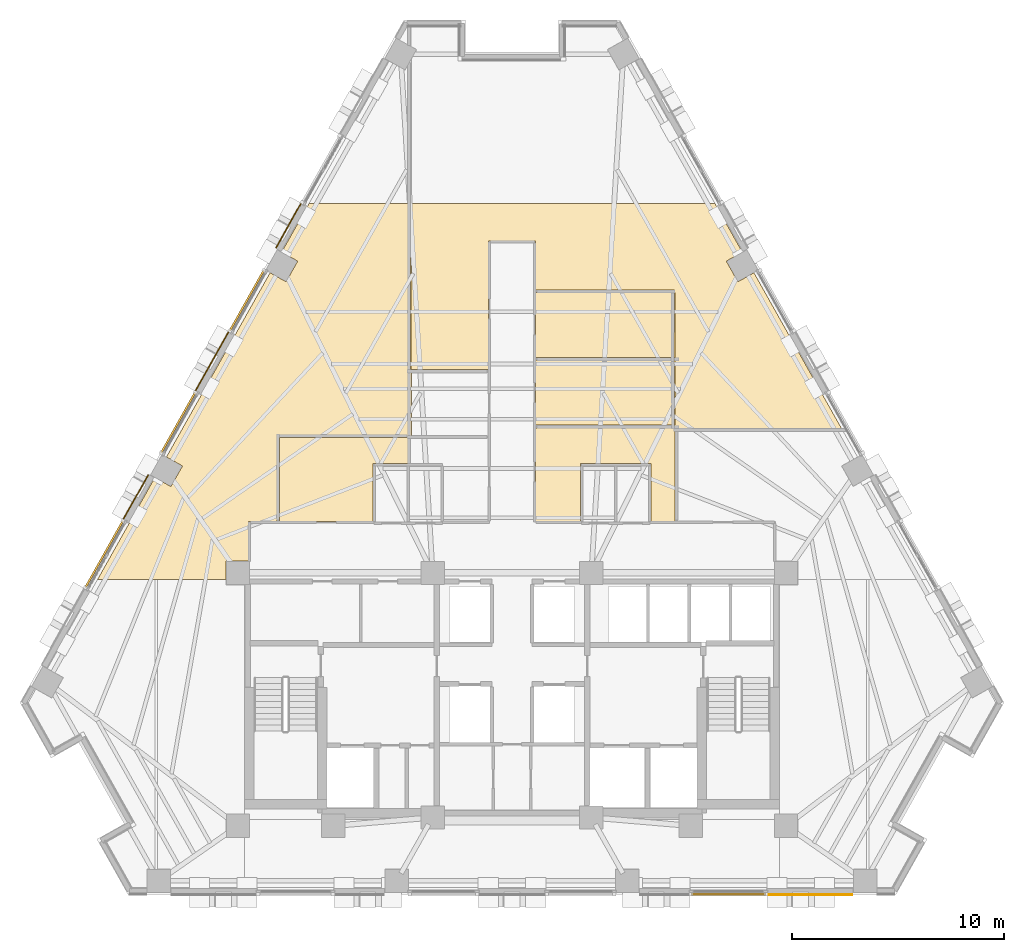
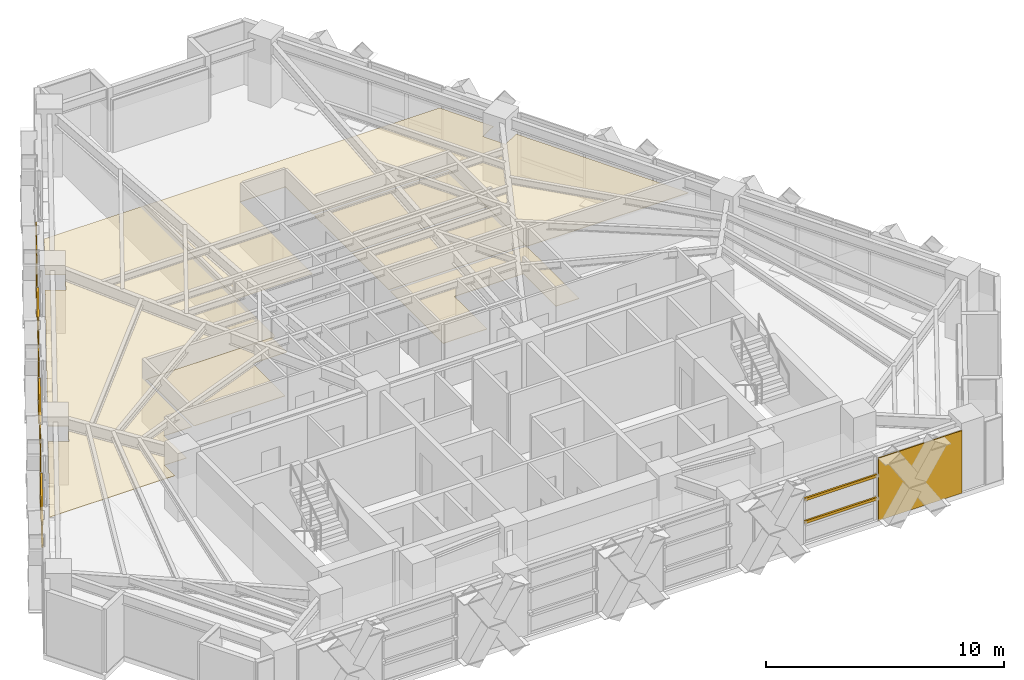
# One storey, part 12 of 14: 10 coverings, 8 shading devices.
"""IFC4 building model written with IfcOpenShell, lengths in metres."""

from ifc_helpers import new_model, si_unit, direction, frame, origin, origin_2d, place, context, subcontext, project, spatial, polyline, rectangle, outline, extrude, material, layer, layer_set, material_profile, profile_set, type_object, element, save


model = new_model("IFC4")

# Units and contexts
model_context = context("Model", 3, precision=1e-05, world=origin(), true_north=direction((0.0, 1.0)))
body_context = subcontext(model_context, "Body", "Model", "MODEL_VIEW")
ifc_project = project(units=[si_unit("LENGTHUNIT", "METRE"), si_unit("AREAUNIT", "SQUARE_METRE"), si_unit("VOLUMEUNIT", "CUBIC_METRE"), si_unit("PLANEANGLEUNIT", "RADIAN"), si_unit("MASSUNIT", "GRAM", prefix="KILO")], contexts=[model_context])

# Site, building, storey
site_placement = place(None, origin())
site = spatial("IfcSite", under=ifc_project, at=site_placement, CompositionType="ELEMENT")
building_placement = place(site_placement, origin())
building = spatial("IfcBuilding", under=site, at=building_placement, Name="Quenlor Broadcast Tower", CompositionType="ELEMENT")
storey_placement = place(building_placement, frame((0.0, 0.0, 112.5)))
storey = spatial("IfcBuildingStorey", under=building, at=storey_placement, Name="L30", CompositionType="ELEMENT", Elevation=112.5)

# Coverings
ifc_material_1 = material(Name="Acoustic Mineral Fibre Board", Category="other")
ifc_layer_1 = layer(ifc_material_1, 0.02490234375)
ifc_layer_set_1 = layer_set([ifc_layer_1], Name="Acoustic Perforated Mineral Tile Ceiling 25")
covering_type_1 = type_object("IfcCoveringType", Name="Acoustic Perforated Mineral Tile Ceiling 25", PredefinedType="CEILING", material=ifc_layer_set_1)
covering_1_placement = place(storey_placement, frame((0.0, 0.0, 2.22509765625)))
element("IfcCovering", 1, at=covering_1_placement, inside=storey, type_object=covering_type_1, Name="L30 Acoustic Ceiling L30-31", PredefinedType="CEILING", context=body_context, shape_type="SweptSolid", body=[
    extrude(outline(polyline([(15.483642578125, 2.030029296875), (7.820068359375, 2.030029296875), (7.790771484375, 2.032958984375), (7.7626953125, 2.04150390625), (7.73681640625, 2.055419921875), (7.7138671875, 2.073974609375), (7.6953125, 2.0966796875), (7.681396484375, 2.12255859375), (7.6728515625, 2.150634765625), (7.669921875, 2.179931640625), (7.669921875, 8.4599609375), (7.6728515625, 8.4892578125), (7.681396484375, 8.517333984375), (7.676513671875, 8.53662109375), (7.670654296875, 8.565185546875), (1.10009765625, 8.580078125), (1.10009765625, 10.8798828125), (-1.10009765625, 10.8798828125), (-1.10009765625, 4.81005859375), (-4.780029296875, 4.81005859375), (-4.780029296875, 12.64990234375), (9.59423828125, 12.64990234375), (10.883544921875, 10.35791015625), (10.126953125, 9.9326171875), (10.674072265625, 8.959716796875), (11.4306640625, 9.38525390625), (15.55712890625, 2.04931640625), (15.54150390625, 2.041748046875), (15.51318359375, 2.032958984375), (15.483642578125, 2.030029296875)])), origin(), (0.0, 0.0, 1.0), 0.02490234375),
])
covering_2_placement = place(storey_placement, frame((0.0, 0.0, 2.22509765625)))
element("IfcCovering", 2, at=covering_2_placement, inside=storey, type_object=covering_type_1, Name="L30 Acoustic Ceiling L30-32", PredefinedType="CEILING", context=body_context, shape_type="SweptSolid", body=[
    extrude(outline(polyline([(1.10009765625, 8.4599609375), (7.699951171875, 8.4599609375), (7.699951171875, 5.3798828125), (1.10009765625, 5.3798828125), (1.10009765625, 8.4599609375)])), origin(), (0.0, 0.0, 1.0), 0.02490234375),
])
covering_3_placement = place(storey_placement, frame((0.0, 0.0, 2.22509765625)))
element("IfcCovering", 3, at=covering_3_placement, inside=storey, type_object=covering_type_1, Name="L30 Acoustic Ceiling L30-33", PredefinedType="CEILING", context=body_context, shape_type="SweptSolid", body=[
    extrude(outline(polyline([(7.699951171875, 5.260009765625), (7.699951171875, 2.179931640625), (1.10009765625, 2.179931640625), (1.10009765625, 5.260009765625), (7.699951171875, 5.260009765625)])), origin(), (0.0, 0.0, 1.0), 0.02490234375),
])
covering_4_placement = place(storey_placement, frame((0.0, 0.0, 2.22509765625)))
element("IfcCovering", 4, at=covering_4_placement, inside=storey, type_object=covering_type_1, Name="L30 Acoustic Ceiling L30-35", PredefinedType="CEILING", context=body_context, shape_type="SweptSolid", body=[
    extrude(outline(polyline([(3.22998046875, -2.3701171875), (1.10009765625, -2.3701171875), (1.10009765625, 2.06005859375), (7.699951171875, 2.06005859375), (7.699951171875, -2.3701171875), (6.570068359375, -2.3701171875), (6.570068359375, 0.3701171875), (3.22998046875, 0.3701171875), (3.22998046875, -2.3701171875)])), origin(), (0.0, 0.0, 1.0), 0.02490234375),
])
covering_5_placement = place(storey_placement, frame((0.0, 0.0, 2.22509765625)))
element("IfcCovering", 5, at=covering_5_placement, inside=storey, type_object=covering_type_1, Name="L30 Acoustic Ceiling L30-37", PredefinedType="CEILING", context=body_context, shape_type="SweptSolid", body=[
    extrude(outline(polyline([(-10.97998046875, 1.590087890625), (-4.89990234375, 1.590087890625), (-4.89990234375, 0.3701171875), (-6.570068359375, 0.3701171875), (-6.570068359375, -2.3701171875), (-10.97998046875, -2.3701171875), (-10.97998046875, 1.590087890625)])), origin(), (0.0, 0.0, 1.0), 0.02490234375),
])
covering_6_placement = place(storey_placement, frame((0.0, 0.0, 2.22509765625)))
element("IfcCovering", 6, at=covering_6_placement, inside=storey, type_object=covering_type_1, Name="L30 Acoustic Ceiling L30-38", PredefinedType="CEILING", context=body_context, shape_type="SweptSolid", body=[
    extrude(outline(polyline([(-10.126953125, 9.9326171875), (-10.883544921875, 10.35791015625), (-9.59423828125, 12.64990234375), (-4.75, 12.64990234375), (-4.75, 4.81005859375), (-4.7529296875, 4.78076171875), (-4.761474609375, 4.752685546875), (-4.756591796875, 4.7333984375), (-4.750732421875, 4.70458984375), (-4.75, 1.7099609375), (-4.7529296875, 1.6806640625), (-4.761474609375, 1.652587890625), (-4.775390625, 1.626708984375), (-4.7939453125, 1.60400390625), (-4.816650390625, 1.585205078125), (-4.842529296875, 1.5712890625), (-4.87060546875, 1.56298828125), (-4.89990234375, 1.56005859375), (-10.97998046875, 1.56005859375), (-11.00927734375, 1.56298828125), (-11.037353515625, 1.5712890625), (-11.056396484375, 1.56640625), (-11.085205078125, 1.560791015625), (-11.10009765625, -2.3701171875), (-12.43994140625, -2.3701171875), (-12.43994140625, -4.241943359375), (-13.508056640625, -4.241943359375), (-13.508056640625, -5.1201171875), (-16.739990234375, -5.1201171875), (-16.860107421875, -5.1201171875), (-19.58984375, -5.1201171875), (-16.873779296875, -0.29150390625), (-16.1171875, -0.717041015625), (-15.5703125, 0.255615234375), (-16.32666015625, 0.68115234375), (-15.821533203125, 1.579345703125), (-15.10498046875, 2.852783203125), (-14.68798828125, 3.59423828125), (-14.24267578125, 4.38623046875), (-14.077880859375, 4.679443359375), (-11.4306640625, 9.38525390625), (-10.674072265625, 8.959716796875), (-10.126953125, 9.9326171875)])), origin(), (0.0, 0.0, 1.0), 0.02490234375),
])

# Shading devices
ifc_material_2 = material(Name="Architectural Terracotta Ceramic", Category="masonry")
ifc_material_profile = material_profile(ifc_material_2, rectangle(XDim=0.090087890625, YDim=0.139892578125, at=origin_2d()))
ifc_profile_set = profile_set([ifc_material_profile], Name="Architectural Terracotta Ceramic BAG90x140")
shading_device_type = type_object("IfcShadingDeviceType", Name="Copper Terracotta Baguette Solar Screen 140", PredefinedType="USERDEFINED", material=ifc_profile_set)
for number, where, z_axis, x_axis, name in (
    (7, (11.981689453125, -19.972900390625, 1.169921875), (-1.0, 0.0, 0.0), (0.0, -1.0, 0.0), "L30 Terracotta Baguette Screen 1"),
    (8, (11.981689453125, -19.972900390625, 2.340087890625), (-1.0, 0.0, 0.0), (0.0, -1.0, 0.0), "L30 Terracotta Baguette Screen 2"),
):
    element("IfcShadingDevice", number, at=place(storey_placement, frame(where, z_axis=z_axis, x_axis=x_axis)), inside=storey, type_object=shading_device_type, Name=name, ObjectType="BAGUETTE", PredefinedType="USERDEFINED", context=body_context, shape_type="SweptSolid", body=[
        extrude(rectangle(XDim=0.090087890625, YDim=0.139892578125, at=origin_2d()), origin(), (0.0, 0.0, 1.0), 3.510498046875),
    ])
for number, where, z_axis, x_axis, name in (
    (9, (-20.156005859375, -5.48779296875, 1.169921875), (0.490344725936, 0.871528570815, 0.0), (-0.871528570815, 0.490344725936, 0.0), "L30 Terracotta Baguette Screen 1"),
    (10, (-20.156005859375, -5.48779296875, 2.340087890625), (0.490344725936, 0.871528570815, 0.0), (-0.871528570815, 0.490344725936, 0.0), "L30 Terracotta Baguette Screen 2"),
):
    element("IfcShadingDevice", number, at=place(storey_placement, frame(where, z_axis=z_axis, x_axis=x_axis)), inside=storey, type_object=shading_device_type, Name=name, ObjectType="BAGUETTE", PredefinedType="USERDEFINED", context=body_context, shape_type="SweptSolid", body=[
        extrude(rectangle(XDim=0.090087890625, YDim=0.139892578125, at=origin_2d()), origin(), (0.0, 0.0, 1.0), 3.60986328125),
    ])
for number, where, z_axis, x_axis, name in (
    (11, (-16.5751953125, 0.8779296875, 1.169921875), (0.490254145389, 0.871579527599, 0.0), (-0.871579527599, 0.490254145389, 0.0), "L30 Terracotta Baguette Screen 1"),
    (12, (-16.5751953125, 0.8779296875, 2.340087890625), (0.490254145389, 0.871579527599, 0.0), (-0.871579527599, 0.490254145389, 0.0), "L30 Terracotta Baguette Screen 2"),
    (13, (-13.32958984375, 6.6474609375, 1.169921875), (0.490254145389, 0.871579527599, 0.0), (-0.871579527599, 0.490254145389, 0.0), "L30 Terracotta Baguette Screen 1"),
    (14, (-13.32958984375, 6.6474609375, 2.340087890625), (0.490254145389, 0.871579527599, 0.0), (-0.871579527599, 0.490254145389, 0.0), "L30 Terracotta Baguette Screen 2"),
):
    element("IfcShadingDevice", number, at=place(storey_placement, frame(where, z_axis=z_axis, x_axis=x_axis)), inside=storey, type_object=shading_device_type, Name=name, ObjectType="BAGUETTE", PredefinedType="USERDEFINED", context=body_context, shape_type="SweptSolid", body=[
        extrude(rectangle(XDim=0.090087890625, YDim=0.139892578125, at=origin_2d()), origin(), (0.0, 0.0, 1.0), 3.267822265625),
    ])

# Coverings
ifc_material_3 = material(Name="Architectural Terracotta Ceramic", Category="masonry")
ifc_layer_2 = layer(ifc_material_3, 0.044921875)
ifc_layer_set_2 = layer_set([ifc_layer_2], Name="Fluted Terracotta Rainscreen Cladding Panel")
covering_type_2 = type_object("IfcCoveringType", Name="Fluted Terracotta Rainscreen Cladding Panel", PredefinedType="CLADDING", material=ifc_layer_set_2)
covering_7_placement = place(storey_placement, frame((0.0, 0.0, 0.02001953125)))
element("IfcCovering", 15, at=covering_7_placement, inside=storey, type_object=covering_type_2, Name="L30 Terracotta Rainscreen Cladding L30-SA-SP1", PredefinedType="CLADDING", context=body_context, shape_type="SweptSolid", body=[
    extrude(outline(polyline([(16.08740234375, -19.971923828125), (12.04931640625, -19.971923828125), (12.04931640625, -20.01708984375), (16.08740234375, -20.01708984375), (16.08740234375, -19.971923828125)])), origin(), (0.0, 0.0, 1.0), 3.2099609375),
])
covering_8_placement = place(storey_placement, frame((0.0, 0.0, 0.02001953125)))
element("IfcCovering", 16, at=covering_8_placement, inside=storey, type_object=covering_type_2, Name="L30 Terracotta Rainscreen Cladding L30-NWA-SP2", PredefinedType="CLADDING", context=body_context, shape_type="SweptSolid", body=[
    extrude(outline(polyline([(-18.35205078125, -2.283203125), (-17.168701171875, -0.179443359375), (-17.2080078125, -0.157470703125), (-18.391357421875, -2.26123046875), (-18.35205078125, -2.283203125)])), origin(), (0.0, 0.0, 1.0), 3.2099609375),
])
covering_9_placement = place(storey_placement, frame((0.0, 0.0, 0.02001953125)))
element("IfcCovering", 17, at=covering_9_placement, inside=storey, type_object=covering_type_2, Name="L30 Terracotta Rainscreen Cladding L30-NWC-SP1", PredefinedType="CLADDING", context=body_context, shape_type="SweptSolid", body=[
    extrude(outline(polyline([(-11.13232421875, 10.552001953125), (-9.948974609375, 12.656005859375), (-9.98828125, 12.677978515625), (-11.171630859375, 10.57421875), (-11.13232421875, 10.552001953125)])), origin(), (0.0, 0.0, 1.0), 3.2099609375),
])
covering_10_placement = place(storey_placement, frame((0.0, 0.0, 0.02001953125)))
element("IfcCovering", 18, at=covering_10_placement, inside=storey, type_object=covering_type_2, Name="L30 Terracotta Rainscreen Cladding L30-NW-SP1", PredefinedType="CLADDING", context=body_context, shape_type="SweptSolid", body=[
    extrude(outline(polyline([(-14.939208984375, 3.784423828125), (-13.362060546875, 6.588134765625), (-13.401123046875, 6.610107421875), (-14.978515625, 3.806396484375), (-14.939208984375, 3.784423828125)])), origin(), (0.0, 0.0, 1.0), 3.2099609375),
])

save(model, "model.ifc")
